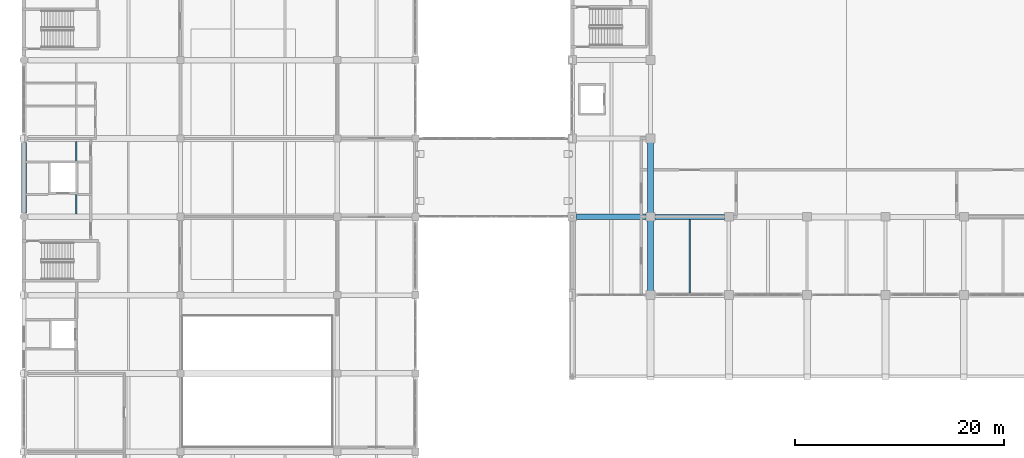
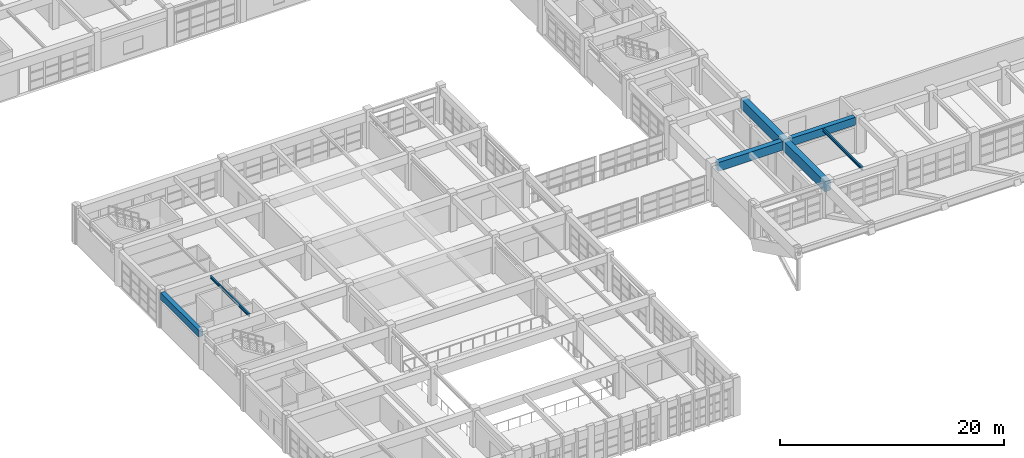
# One storey, part 15 of 132: 6 beams.
"""IFC4 building model written with IfcOpenShell, lengths in metres."""

from ifc_helpers import new_model, si_unit, direction, frame, origin, origin_2d, place, context, subcontext, project, spatial, rectangle, i_section, extrude, material, material_profile, profile_set, type_object, element, save


model = new_model("IFC4")

# Units and contexts
model_context = context("Model", 3, precision=1e-05, world=origin(), true_north=direction((0.0, 1.0)))
body_context = subcontext(model_context, "Body", "Model", "MODEL_VIEW")
ifc_project = project(units=[si_unit("LENGTHUNIT", "METRE"), si_unit("AREAUNIT", "SQUARE_METRE"), si_unit("VOLUMEUNIT", "CUBIC_METRE"), si_unit("PLANEANGLEUNIT", "RADIAN"), si_unit("MASSUNIT", "GRAM", prefix="KILO")], contexts=[model_context])

# Site, building, storey
site_placement = place(None, origin())
site = spatial("IfcSite", under=ifc_project, at=site_placement, CompositionType="ELEMENT")
building_placement = place(site_placement, origin())
building = spatial("IfcBuilding", under=site, at=building_placement, Name="Qasida Concert Hall", CompositionType="ELEMENT")
storey_placement = place(building_placement, frame((0.0, 0.0, 4.800048828125)))
storey = spatial("IfcBuildingStorey", under=building, at=storey_placement, Name="L01", CompositionType="ELEMENT", Elevation=4.800048828125)

# Beams
ifc_material_1 = material(Name="Concrete C50/60", Category="concrete")
ifc_material_profile_1 = material_profile(ifc_material_1, rectangle(XDim=0.60009765625, YDim=1.10009765625, at=origin_2d()), Name="RC 600x1100")
ifc_profile_set_1 = profile_set([ifc_material_profile_1], Name="Concrete C50/60")
beam_type_1 = type_object("IfcBeamType", Name="BM-G4", PredefinedType="USERDEFINED", material=ifc_profile_set_1)
beam_1_placement = place(storey_placement, frame((60.0, 22.5, 3.320068359375), z_axis=(0.0, 1.0, 0.0), x_axis=(-1.0, 0.0, 0.0)))
element("IfcBeam", 1, at=beam_1_placement, inside=storey, type_object=beam_type_1, Name="Cantilever backspan girder CGB-002", ObjectType="GIRDER", PredefinedType="USERDEFINED", context=body_context, shape_type="SweptSolid", body=[
    extrude(rectangle(XDim=0.60009765625, YDim=1.10009765625, at=origin_2d()), origin(), (0.0, 0.0, 1.0), 15.0),
])
ifc_material_2 = material(Name="Concrete C40/50", Category="concrete")
ifc_material_profile_2 = material_profile(ifc_material_2, rectangle(XDim=0.47998046875, YDim=0.85009765625, at=origin_2d()), Name="RC 480x850")
ifc_profile_set_2 = profile_set([ifc_material_profile_2], Name="Concrete C40/50")
beam_type_2 = type_object("IfcBeamType", Name="BM-G6", PredefinedType="USERDEFINED", material=ifc_profile_set_2)
beam_2_placement = place(storey_placement, frame((60.425048828125, 30.0, 3.494873046875), z_axis=(1.0, 0.0, 0.0), x_axis=(0.0, 1.0, 0.0)))
element("IfcBeam", 2, at=beam_2_placement, inside=storey, type_object=beam_type_2, Name="Primary girder 0768", ObjectType="GIRDER", PredefinedType="USERDEFINED", context=body_context, shape_type="SweptSolid", body=[
    extrude(rectangle(XDim=0.47998046875, YDim=0.85009765625, at=origin_2d()), origin(), (0.0, 0.0, 1.0), 6.64990234375),
])
ifc_material_profile_3 = material_profile(ifc_material_2, rectangle(XDim=0.52001953125, YDim=0.949951171875, at=origin_2d()), Name="RC 520x950")
ifc_profile_set_3 = profile_set([ifc_material_profile_3], Name="Concrete C40/50")
beam_type_3 = type_object("IfcBeamType", Name="BM-G7", PredefinedType="USERDEFINED", material=ifc_profile_set_3)
beam_3_placement = place(storey_placement, frame((52.925048828125, 30.0, 3.445068359375), z_axis=(1.0, 0.0, 0.0), x_axis=(0.0, 1.0, 0.0)))
element("IfcBeam", 3, at=beam_3_placement, inside=storey, type_object=beam_type_3, Name="Primary girder 0767", ObjectType="GIRDER", PredefinedType="USERDEFINED", context=body_context, shape_type="SweptSolid", body=[
    extrude(rectangle(XDim=0.52001953125, YDim=0.949951171875, at=origin_2d()), origin(), (0.0, 0.0, 1.0), 6.64990234375),
])
ifc_material_3 = material(Name="Steel S355J2", Category="steel")
ifc_material_profile_4 = material_profile(ifc_material_3, i_section(OverallWidth=0.14990234375, OverallDepth=0.300048828125, WebThickness=0.007080078125, FlangeThickness=0.0107421875, FilletRadius=0.014892578125, at=origin_2d()), Name="IPE 300")
ifc_profile_set_4 = profile_set([ifc_material_profile_4], Name="Steel S355J2")
beam_type_4 = type_object("IfcBeamType", Name="BM-J4", PredefinedType="JOIST", material=ifc_profile_set_4)
beam_4_placement = place(storey_placement, frame((5.0, 30.27490234375, 3.77001953125), z_axis=(0.0, 1.0, 0.0), x_axis=(-1.0, 0.0, 0.0)))
element("IfcBeam", 4, at=beam_4_placement, inside=storey, type_object=beam_type_4, Name="L01 secondary joist 0955", PredefinedType="JOIST", context=body_context, shape_type="SweptSolid", body=[
    extrude(i_section(OverallWidth=0.14990234375, OverallDepth=0.300048828125, WebThickness=0.007080078125, FlangeThickness=0.0107421875, FilletRadius=0.014892578125, at=origin_2d()), origin(), (0.0, 0.0, 1.0), 6.9501953125),
])
ifc_material_profile_5 = material_profile(ifc_material_3, i_section(OverallWidth=0.159912109375, OverallDepth=0.330078125, WebThickness=0.007568359375, FlangeThickness=0.011474609375, FilletRadius=0.01806640625, at=origin_2d()), Name="IPE 330")
ifc_profile_set_5 = profile_set([ifc_material_profile_5], Name="Steel S355J2")
beam_type_5 = type_object("IfcBeamType", Name="BM-J5", PredefinedType="JOIST", material=ifc_profile_set_5)
beam_5_placement = place(storey_placement, frame((63.75, 22.72509765625, 3.7548828125), z_axis=(0.0, 1.0, 0.0), x_axis=(-1.0, 0.0, 0.0)))
element("IfcBeam", 5, at=beam_5_placement, inside=storey, type_object=beam_type_5, Name="L01 secondary joist 0836", PredefinedType="JOIST", context=body_context, shape_type="SweptSolid", body=[
    extrude(i_section(OverallWidth=0.159912109375, OverallDepth=0.330078125, WebThickness=0.007568359375, FlangeThickness=0.011474609375, FilletRadius=0.01806640625, at=origin_2d()), origin(), (0.0, 0.0, 1.0), 7.034912109375),
])
ifc_material_profile_6 = material_profile(ifc_material_2, rectangle(XDim=0.449951171875, YDim=0.75, at=origin_2d()), Name="RC 450x750")
ifc_profile_set_6 = profile_set([ifc_material_profile_6], Name="Concrete C40/50")
beam_type_6 = type_object("IfcBeamType", Name="BM-SP4", PredefinedType="SPANDREL", material=ifc_profile_set_6)
beam_6_placement = place(storey_placement, frame((0.0, 30.375, 3.544921875), z_axis=(0.0, 1.0, 0.0), x_axis=(-1.0, 0.0, 0.0)))
element("IfcBeam", 6, at=beam_6_placement, inside=storey, type_object=beam_type_6, Name="L01 girder 0924", PredefinedType="SPANDREL", context=body_context, shape_type="SweptSolid", body=[
    extrude(rectangle(XDim=0.449951171875, YDim=0.75, at=origin_2d()), origin(), (0.0, 0.0, 1.0), 6.75),
])

save(model, "model.ifc")
